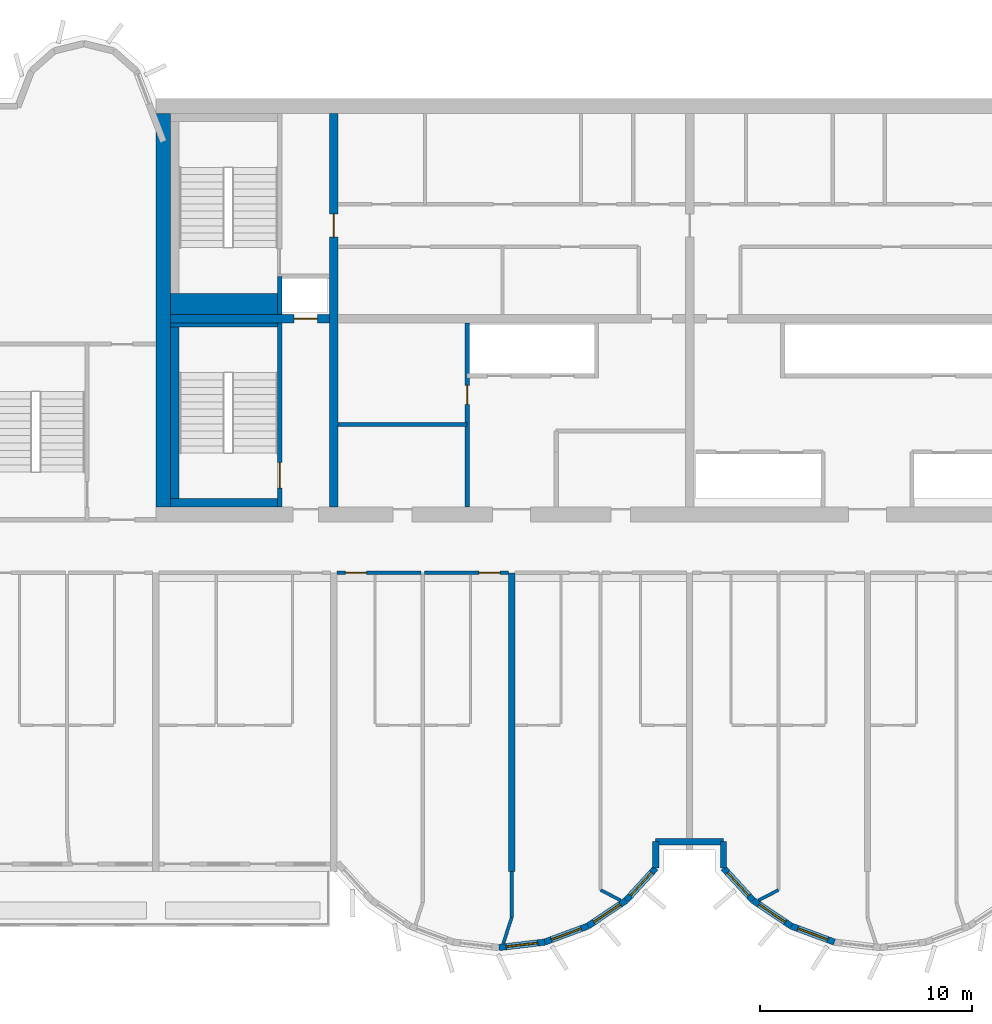
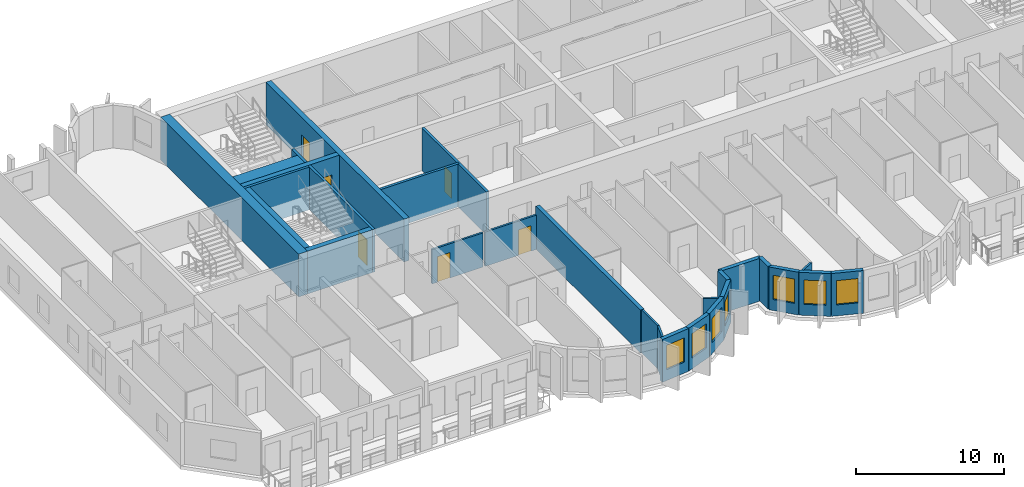
# One storey, part 4 of 13: 28 walls, 7 windows, 6 doors, 13 openings.
"""IFC4 building model written with IfcOpenShell, lengths in metres."""

from ifc_helpers import new_model, si_unit, direction, frame, frame_2d, origin, place, context, subcontext, project, spatial, rectangle, extrude, source, transform, mapped, material, layer, layer_set, type_object, element, fill, save


model = new_model("IFC4")

# Units and contexts
model_context = context("Model", 3, precision=1e-05, world=origin(), true_north=direction((0.0, 1.0)))
body_context = subcontext(model_context, "Body", "Model", "MODEL_VIEW")
ifc_project = project(units=[si_unit("LENGTHUNIT", "METRE"), si_unit("AREAUNIT", "SQUARE_METRE"), si_unit("VOLUMEUNIT", "CUBIC_METRE"), si_unit("PLANEANGLEUNIT", "RADIAN"), si_unit("MASSUNIT", "GRAM", prefix="KILO")], contexts=[model_context])

# Site, building, storey
site_placement = place(None, origin())
site = spatial("IfcSite", under=ifc_project, at=site_placement, CompositionType="ELEMENT")
building_placement = place(site_placement, origin())
building = spatial("IfcBuilding", under=site, at=building_placement, Name="Vanashikhar Sky Hotel", CompositionType="ELEMENT")
storey_placement = place(building_placement, frame((0.0, 0.0, 178.199951171875)))
storey = spatial("IfcBuildingStorey", under=building, at=storey_placement, Name="L43", CompositionType="ELEMENT", Elevation=178.199951171875)

# Wall, opening, door
ifc_material_1 = material(Name="Concrete M60", Category="concrete")
ifc_layer_1 = layer(ifc_material_1, 0.39990234375)
ifc_layer_set_1 = layer_set([ifc_layer_1], Name="RC core inner wall 400 Concrete M60")
wall_type_1 = type_object("IfcWallType", Name="RC core inner wall 400 Concrete M60", PredefinedType="SHEAR", material=ifc_layer_set_1)
shared_shape_1 = source(origin(), body_context, "Body", "SweptSolid", [
    extrude(rectangle(XDim=18.60009765625, YDim=0.39990234375, at=frame_2d((9.300048828125, 0.0))), origin(), (0.0, 0.0, 1.0), 3.52001953125),
])
wall_1_placement = place(storey_placement, frame((33.60009765625, 22.699951171875, 0.0), z_axis=(0.0, 0.0, 1.0), x_axis=(0.0, 1.0, 0.0)))
wall_1 = element("IfcWall", 1, at=wall_1_placement, inside=storey, type_object=wall_type_1, Name="KW-L43-KX1", PredefinedType="SHEAR", context=body_context, shape_type="MappedRepresentation", body=[
    mapped(shared_shape_1, transform((0.0, 0.0, 0.0), scale=1.0)),
])
shared_shape_2 = source(origin(), body_context, "Body", "SweptSolid", [
    extrude(rectangle(XDim=1.10009765625, YDim=2.10009765625, at=frame_2d((0.550048828125, 1.050048828125))), frame((0.0, 0.2099609375, 0.0), z_axis=(0.0, -1.0, 0.0), x_axis=(1.0, 0.0, 0.0)), (0.0, 0.0, 1.0), 0.419921875),
])
opening_1_placement = place(wall_1_placement, frame((12.75, 0.0, 0.0)))
opening_1 = element("IfcOpeningElement", 2, at=opening_1_placement, cuts=wall_1, Name="Opening DC-4-C", PredefinedType="OPENING", context=body_context, shape_type="MappedRepresentation", body=[
    mapped(shared_shape_2, transform((0.0, 0.0, 0.0), scale=1.0)),
])
ifc_material_2 = material(Name="Steel", Category="steel")
door_type_1 = type_object("IfcDoorType", Name="Service door 1100 FD60", OperationType="NOTDEFINED", PredefinedType="DOOR", material=ifc_material_2)
shared_shape_3 = source(origin(), body_context, "Body", "SweptSolid", [
    extrude(rectangle(XDim=1.10009765625, YDim=2.10009765625, at=frame_2d((0.550048828125, 1.050048828125))), frame((0.0, 0.02490234375, 0.0), z_axis=(0.0, -1.0, 0.0), x_axis=(1.0, 0.0, 0.0)), (0.0, 0.0, 1.0), 0.050048828125),
])
door_1_placement = place(opening_1_placement, origin())
door_1 = element("IfcDoor", 3, at=door_1_placement, inside=storey, type_object=door_type_1, Name="Service door 1100 FD60", OperationType="SINGLE_SWING_RIGHT", OverallHeight=2.10009765625, OverallWidth=1.10009765625, PredefinedType="DOOR", context=body_context, shape_type="MappedRepresentation", body=[
    mapped(shared_shape_3, transform((0.0, 0.0, 0.0), scale=1.0)),
])
fill(opening_1, door_1)

# Wall
ifc_layer_2 = layer(ifc_material_1, 0.699951171875)
ifc_layer_set_2 = layer_set([ifc_layer_2], Name="RC core shell wall 700 Concrete M60")
wall_type_2 = type_object("IfcWallType", Name="RC core shell wall 700 Concrete M60", PredefinedType="SHEAR", material=ifc_layer_set_2)
shared_shape_4 = source(origin(), body_context, "Body", "SweptSolid", [
    extrude(rectangle(XDim=18.60009765625, YDim=0.699951171875, at=frame_2d((9.300048828125, 0.0))), origin(), (0.0, 0.0, 1.0), 3.52001953125),
])
wall_2_placement = place(storey_placement, frame((25.550048828125, 22.699951171875, 0.0), z_axis=(0.0, 0.0, 1.0), x_axis=(0.0, 1.0, 0.0)))
element("IfcWall", 4, at=wall_2_placement, inside=storey, type_object=wall_type_2, Name="KW-L43-KW", PredefinedType="SHEAR", context=body_context, shape_type="MappedRepresentation", body=[
    mapped(shared_shape_4, transform((0.0, 0.0, 0.0), scale=1.0)),
])

# Wall, opening, door
shared_shape_5 = source(origin(), body_context, "Body", "SweptSolid", [
    extrude(rectangle(XDim=7.5, YDim=0.39990234375, at=frame_2d((3.75, 0.0))), origin(), (0.0, 0.0, 1.0), 3.52001953125),
])
wall_3_placement = place(storey_placement, frame((25.89990234375, 31.60009765625, 0.0), z_axis=(0.0, 0.0, 1.0), x_axis=(1.0, 0.0, 0.0)))
wall_3 = element("IfcWall", 5, at=wall_3_placement, inside=storey, type_object=wall_type_1, Name="KW-L43-KY1", PredefinedType="SHEAR", context=body_context, shape_type="MappedRepresentation", body=[
    mapped(shared_shape_5, transform((0.0, 0.0, 0.0), scale=1.0)),
])
opening_2_placement = place(wall_3_placement, frame((5.824951171875, 0.0, 0.0)))
opening_2 = element("IfcOpeningElement", 6, at=opening_2_placement, cuts=wall_3, Name="Opening LD", PredefinedType="OPENING", context=body_context, shape_type="MappedRepresentation", body=[
    mapped(shared_shape_2, transform((0.0, 0.0, 0.0), scale=1.0)),
])
ifc_material_3 = material(Name="Stainless steel", Category="steel")
door_type_2 = type_object("IfcDoorType", Name="Lift landing door 1100", OperationType="NOTDEFINED", PredefinedType="DOOR", material=ifc_material_3)
door_2_placement = place(opening_2_placement, origin())
door_2 = element("IfcDoor", 7, at=door_2_placement, inside=storey, type_object=door_type_2, Name="Lift landing door 1100", OperationType="SLIDING_TO_LEFT", OverallHeight=2.10009765625, OverallWidth=1.10009765625, PredefinedType="DOOR", context=body_context, shape_type="MappedRepresentation", body=[
    mapped(shared_shape_3, transform((0.0, 0.0, 0.0), scale=1.0)),
])
fill(opening_2, door_2)

# Wall
ifc_layer_3 = layer(ifc_material_1, 0.300048828125)
ifc_layer_set_3 = layer_set([ifc_layer_3], Name="RC shear wall 300 Concrete M60")
wall_type_3 = type_object("IfcWallType", Name="RC shear wall 300 Concrete M60", PredefinedType="SHEAR", material=ifc_layer_set_3)
shared_shape_6 = source(origin(), body_context, "Body", "SweptSolid", [
    extrude(rectangle(XDim=14.10009765625, YDim=0.300048828125, at=frame_2d((7.050048828125, 0.0))), origin(), (0.0, 0.0, 1.0), 3.52001953125),
])
wall_4_placement = place(storey_placement, frame((42.0, 5.5, 0.0), z_axis=(0.0, 0.0, 1.0), x_axis=(0.0, 1.0, 0.0)))
element("IfcWall", 8, at=wall_4_placement, inside=storey, type_object=wall_type_3, Name="CW-L43-XW06-1", PredefinedType="SHEAR", context=body_context, shape_type="MappedRepresentation", body=[
    mapped(shared_shape_6, transform((0.0, 0.0, 0.0), scale=1.0)),
])

# Wall, opening, window
ifc_material_4 = material(Name="Concrete M50", Category="concrete")
ifc_layer_4 = layer(ifc_material_4, 0.300048828125)
ifc_layer_set_4 = layer_set([ifc_layer_4], Name="Lobe wall 300")
wall_type_4 = type_object("IfcWallType", Name="Lobe wall 300", PredefinedType="SOLIDWALL", material=ifc_layer_set_4)
shared_shape_7 = source(origin(), body_context, "Body", "SweptSolid", [
    extrude(rectangle(XDim=2.17578125, YDim=0.300048828125, at=frame_2d((1.087890625, 0.0))), origin(), (0.0, 0.0, 1.0), 3.52001953125),
])
wall_5_placement = place(storey_placement, frame((45.59912109375, 2.91650390625, 0.0), z_axis=(0.0, 0.0, 1.0), x_axis=(0.829625727223, 0.558319937607, 0.0)))
wall_5 = element("IfcWall", 9, at=wall_5_placement, inside=storey, type_object=wall_type_4, Name="Lobe wall", PredefinedType="SOLIDWALL", context=body_context, shape_type="MappedRepresentation", body=[
    mapped(shared_shape_7, transform((0.0, 0.0, 0.0), scale=1.0)),
])
shared_shape_8 = source(origin(), body_context, "Body", "SweptSolid", [
    extrude(rectangle(XDim=1.5, YDim=2.0, at=frame_2d((0.75, 1.0))), frame((0.0, 0.16015625, 0.0), z_axis=(0.0, -1.0, 0.0), x_axis=(1.0, 0.0, 0.0)), (0.0, 0.0, 1.0), 0.320068359375),
])
opening_3_placement = place(wall_5_placement, frame((0.337890625, 0.0, 0.89990234375)))
opening_3 = element("IfcOpeningElement", 10, at=opening_3_placement, cuts=wall_5, Name="Opening WN-2", PredefinedType="OPENING", context=body_context, shape_type="MappedRepresentation", body=[
    mapped(shared_shape_8, transform((0.0, 0.0, 0.0), scale=1.0)),
])
ifc_material_5 = material(Name="Glass", Category="glass")
window_type = type_object("IfcWindowType", Name="Lobe window 1500 x 2000", PartitioningType="SINGLE_PANEL", PredefinedType="WINDOW", material=ifc_material_5)
shared_shape_9 = source(origin(), body_context, "Body", "SweptSolid", [
    extrude(rectangle(XDim=1.5, YDim=2.0, at=frame_2d((0.75, 1.0))), frame((0.0, 0.030029296875, 0.0), z_axis=(0.0, -1.0, 0.0), x_axis=(1.0, 0.0, 0.0)), (0.0, 0.0, 1.0), 0.06005859375),
])
window_1_placement = place(opening_3_placement, origin())
window_1 = element("IfcWindow", 11, at=window_1_placement, inside=storey, type_object=window_type, Name="Window WN-2", OverallHeight=2.0, OverallWidth=1.5, PartitioningType="SINGLE_PANEL", PredefinedType="WINDOW", context=body_context, shape_type="MappedRepresentation", body=[
    mapped(shared_shape_9, transform((0.0, 0.0, 0.0), scale=1.0)),
])
fill(opening_3, window_1)

wall_6_placement = place(storey_placement, frame((53.395751953125, 4.13134765625, 0.0), z_axis=(0.0, 0.0, 1.0), x_axis=(0.829590746428, -0.558371913192, 0.0)))
wall_6 = element("IfcWall", 12, at=wall_6_placement, inside=storey, type_object=wall_type_4, Name="Lobe wall", PredefinedType="SOLIDWALL", context=body_context, shape_type="MappedRepresentation", body=[
    mapped(shared_shape_7, transform((0.0, 0.0, 0.0), scale=1.0)),
])
opening_4_placement = place(wall_6_placement, frame((0.337890625, 0.0, 0.89990234375)))
opening_4 = element("IfcOpeningElement", 13, at=opening_4_placement, cuts=wall_6, Name="Opening WN-2", PredefinedType="OPENING", context=body_context, shape_type="MappedRepresentation", body=[
    mapped(shared_shape_8, transform((0.0, 0.0, 0.0), scale=1.0)),
])
window_2_placement = place(opening_4_placement, origin())
window_2 = element("IfcWindow", 14, at=window_2_placement, inside=storey, type_object=window_type, Name="Window WN-2", OverallHeight=2.0, OverallWidth=1.5, PartitioningType="SINGLE_PANEL", PredefinedType="WINDOW", context=body_context, shape_type="MappedRepresentation", body=[
    mapped(shared_shape_9, transform((0.0, 0.0, 0.0), scale=1.0)),
])
fill(opening_4, window_2)

wall_7_placement = place(storey_placement, frame((55.20068359375, 2.91650390625, 0.0), z_axis=(0.0, 0.0, 1.0), x_axis=(0.93754555999, -0.347862505801, 0.0)))
wall_7 = element("IfcWall", 15, at=wall_7_placement, inside=storey, type_object=wall_type_4, Name="Lobe wall", PredefinedType="SOLIDWALL", context=body_context, shape_type="MappedRepresentation", body=[
    mapped(shared_shape_7, transform((0.0, 0.0, 0.0), scale=1.0)),
])
opening_5_placement = place(wall_7_placement, frame((0.337890625, 0.0, 0.89990234375)))
opening_5 = element("IfcOpeningElement", 16, at=opening_5_placement, cuts=wall_7, Name="Opening WN-2", PredefinedType="OPENING", context=body_context, shape_type="MappedRepresentation", body=[
    mapped(shared_shape_8, transform((0.0, 0.0, 0.0), scale=1.0)),
])
window_3_placement = place(opening_5_placement, origin())
window_3 = element("IfcWindow", 17, at=window_3_placement, inside=storey, type_object=window_type, Name="Window WN-2", OverallHeight=2.0, OverallWidth=1.5, PartitioningType="SINGLE_PANEL", PredefinedType="WINDOW", context=body_context, shape_type="MappedRepresentation", body=[
    mapped(shared_shape_9, transform((0.0, 0.0, 0.0), scale=1.0)),
])
fill(opening_5, window_3)

shared_shape_10 = source(origin(), body_context, "Body", "SweptSolid", [
    extrude(rectangle(XDim=2.1748046875, YDim=0.300048828125, at=frame_2d((1.08740234375, 0.0))), origin(), (0.0, 0.0, 1.0), 3.52001953125),
])
wall_8_placement = place(storey_placement, frame((41.39990234375, 1.90283203125, 0.0), z_axis=(0.0, 0.0, 1.0), x_axis=(0.993002698611, 0.118091661648, 0.0)))
wall_8 = element("IfcWall", 18, at=wall_8_placement, inside=storey, type_object=wall_type_4, Name="Lobe wall", PredefinedType="SOLIDWALL", context=body_context, shape_type="MappedRepresentation", body=[
    mapped(shared_shape_10, transform((0.0, 0.0, 0.0), scale=1.0)),
])
opening_6_placement = place(wall_8_placement, frame((0.33740234375, 0.0, 0.89990234375)))
opening_6 = element("IfcOpeningElement", 19, at=opening_6_placement, cuts=wall_8, Name="Opening WN-2", PredefinedType="OPENING", context=body_context, shape_type="MappedRepresentation", body=[
    mapped(shared_shape_8, transform((0.0, 0.0, 0.0), scale=1.0)),
])
window_4_placement = place(opening_6_placement, origin())
window_4 = element("IfcWindow", 20, at=window_4_placement, inside=storey, type_object=window_type, Name="Window WN-2", OverallHeight=2.0, OverallWidth=1.5, PartitioningType="SINGLE_PANEL", PredefinedType="WINDOW", context=body_context, shape_type="MappedRepresentation", body=[
    mapped(shared_shape_9, transform((0.0, 0.0, 0.0), scale=1.0)),
])
fill(opening_6, window_4)

shared_shape_11 = source(origin(), body_context, "Body", "SweptSolid", [
    extrude(rectangle(XDim=2.175537109375, YDim=0.300048828125, at=frame_2d((1.087890625, 0.0))), origin(), (0.0, 0.0, 1.0), 3.52001953125),
])
wall_9_placement = place(storey_placement, frame((43.5595703125, 2.15966796875, 0.0), z_axis=(0.0, 0.0, 1.0), x_axis=(0.937531979054, 0.347899106424, 0.0)))
wall_9 = element("IfcWall", 21, at=wall_9_placement, inside=storey, type_object=wall_type_4, Name="Lobe wall", PredefinedType="SOLIDWALL", context=body_context, shape_type="MappedRepresentation", body=[
    mapped(shared_shape_11, transform((0.0, 0.0, 0.0), scale=1.0)),
])
opening_7_placement = place(wall_9_placement, frame((0.337890625, 0.0, 0.89990234375)))
opening_7 = element("IfcOpeningElement", 22, at=opening_7_placement, cuts=wall_9, Name="Opening WN-2", PredefinedType="OPENING", context=body_context, shape_type="MappedRepresentation", body=[
    mapped(shared_shape_8, transform((0.0, 0.0, 0.0), scale=1.0)),
])
window_5_placement = place(opening_7_placement, origin())
window_5 = element("IfcWindow", 23, at=window_5_placement, inside=storey, type_object=window_type, Name="Window WN-2", OverallHeight=2.0, OverallWidth=1.5, PartitioningType="SINGLE_PANEL", PredefinedType="WINDOW", context=body_context, shape_type="MappedRepresentation", body=[
    mapped(shared_shape_9, transform((0.0, 0.0, 0.0), scale=1.0)),
])
fill(opening_7, window_5)

shared_shape_12 = source(origin(), body_context, "Body", "SweptSolid", [
    extrude(rectangle(XDim=2.066650390625, YDim=0.300048828125, at=frame_2d((1.033203125, 0.0))), origin(), (0.0, 0.0, 1.0), 3.52001953125),
])
wall_10_placement = place(storey_placement, frame((47.404296875, 4.13134765625, 0.0), z_axis=(0.0, 0.0, 1.0), x_axis=(0.675355439877, 0.737492393065, 0.0)))
wall_10 = element("IfcWall", 24, at=wall_10_placement, inside=storey, type_object=wall_type_4, Name="Lobe wall", PredefinedType="SOLIDWALL", context=body_context, shape_type="MappedRepresentation", body=[
    mapped(shared_shape_12, transform((0.0, 0.0, 0.0), scale=1.0)),
])
opening_8_placement = place(wall_10_placement, frame((0.283447265625, 0.0, 0.89990234375)))
opening_8 = element("IfcOpeningElement", 25, at=opening_8_placement, cuts=wall_10, Name="Opening WN-2", PredefinedType="OPENING", context=body_context, shape_type="MappedRepresentation", body=[
    mapped(shared_shape_8, transform((0.0, 0.0, 0.0), scale=1.0)),
])
window_6_placement = place(opening_8_placement, origin())
window_6 = element("IfcWindow", 26, at=window_6_placement, inside=storey, type_object=window_type, Name="Window WN-2", OverallHeight=2.0, OverallWidth=1.5, PartitioningType="SINGLE_PANEL", PredefinedType="WINDOW", context=body_context, shape_type="MappedRepresentation", body=[
    mapped(shared_shape_9, transform((0.0, 0.0, 0.0), scale=1.0)),
])
fill(opening_8, window_6)

wall_11_placement = place(storey_placement, frame((52.0, 5.655517578125, 0.0), z_axis=(0.0, 0.0, 1.0), x_axis=(0.675355439877, -0.737492393065, 0.0)))
wall_11 = element("IfcWall", 27, at=wall_11_placement, inside=storey, type_object=wall_type_4, Name="Lobe wall", PredefinedType="SOLIDWALL", context=body_context, shape_type="MappedRepresentation", body=[
    mapped(shared_shape_12, transform((0.0, 0.0, 0.0), scale=1.0)),
])
opening_9_placement = place(wall_11_placement, frame((0.283447265625, 0.0, 0.89990234375)))
opening_9 = element("IfcOpeningElement", 28, at=opening_9_placement, cuts=wall_11, Name="Opening WN-2", PredefinedType="OPENING", context=body_context, shape_type="MappedRepresentation", body=[
    mapped(shared_shape_8, transform((0.0, 0.0, 0.0), scale=1.0)),
])
window_7_placement = place(opening_9_placement, origin())
window_7 = element("IfcWindow", 29, at=window_7_placement, inside=storey, type_object=window_type, Name="Window WN-2", OverallHeight=2.0, OverallWidth=1.5, PartitioningType="SINGLE_PANEL", PredefinedType="WINDOW", context=body_context, shape_type="MappedRepresentation", body=[
    mapped(shared_shape_9, transform((0.0, 0.0, 0.0), scale=1.0)),
])
fill(opening_9, window_7)

# Walls
shared_shape_13 = source(origin(), body_context, "Body", "SweptSolid", [
    extrude(rectangle(XDim=1.244384765625, YDim=0.300048828125, at=frame_2d((0.6220703125, 0.0))), origin(), (0.0, 0.0, 1.0), 3.52001953125),
])
for number, where, z_axis, x_axis, name in (
    (30, (48.800048828125, 5.655517578125, 0.0), (0.0, 0.0, 1.0), (0.0, 1.0, 0.0), "Groove wall"),
    (31, (52.0, 6.89990234375, 0.0), (0.0, 0.0, 1.0), (0.0, -1.0, 0.0), "Groove wall"),
):
    element("IfcWall", number, at=place(storey_placement, frame(where, z_axis=z_axis, x_axis=x_axis)), inside=storey, type_object=wall_type_4, Name=name, PredefinedType="SOLIDWALL", context=body_context, shape_type="MappedRepresentation", body=[
        mapped(shared_shape_13, transform((0.0, 0.0, 0.0), scale=1.0)),
    ])
shared_shape_14 = source(origin(), body_context, "Body", "SweptSolid", [
    extrude(rectangle(XDim=3.199951171875, YDim=0.300048828125, at=frame_2d((1.60009765625, 0.0))), origin(), (0.0, 0.0, 1.0), 3.52001953125),
])
wall_12_placement = place(storey_placement, frame((48.800048828125, 6.89990234375, 0.0), z_axis=(0.0, 0.0, 1.0), x_axis=(1.0, 0.0, 0.0)))
element("IfcWall", 32, at=wall_12_placement, inside=storey, type_object=wall_type_4, Name="Groove wall", PredefinedType="SOLIDWALL", context=body_context, shape_type="MappedRepresentation", body=[
    mapped(shared_shape_14, transform((0.0, 0.0, 0.0), scale=1.0)),
])

# Wall, opening, door
ifc_material_6 = material(Name="Gypsum board partition")
ifc_layer_5 = layer(ifc_material_6, 0.14990234375)
ifc_layer_set_5 = layer_set([ifc_layer_5], Name="Service partition 150")
wall_type_5 = type_object("IfcWallType", Name="Service partition 150", PredefinedType="PARTITIONING", material=ifc_layer_set_5)
shared_shape_15 = source(origin(), body_context, "Body", "SweptSolid", [
    extrude(rectangle(XDim=8.699951171875, YDim=0.199951171875, at=frame_2d((4.35009765625, 0.0))), origin(), (0.0, 0.0, 1.0), 3.52001953125),
])
wall_13_placement = place(storey_placement, frame((39.89990234375, 22.699951171875, 0.0), z_axis=(0.0, 0.0, 1.0), x_axis=(0.0, 1.0, 0.0)))
wall_13 = element("IfcWall", 33, at=wall_13_placement, inside=storey, type_object=wall_type_5, Name="Service partition 150", PredefinedType="PARTITIONING", context=body_context, shape_type="MappedRepresentation", body=[
    mapped(shared_shape_15, transform((0.0, 0.0, 0.0), scale=1.0)),
])
shared_shape_16 = source(origin(), body_context, "Body", "SweptSolid", [
    extrude(rectangle(XDim=0.89990234375, YDim=2.10009765625, at=frame_2d((0.449951171875, 1.050048828125))), frame((0.0, 0.10986328125, 0.0), z_axis=(0.0, -1.0, 0.0), x_axis=(1.0, 0.0, 0.0)), (0.0, 0.0, 1.0), 0.219970703125),
])
opening_10_placement = place(wall_13_placement, frame((4.85009765625, 0.0, 0.0)))
opening_10 = element("IfcOpeningElement", 34, at=opening_10_placement, cuts=wall_13, Name="Opening DC-4-A", PredefinedType="OPENING", context=body_context, shape_type="MappedRepresentation", body=[
    mapped(shared_shape_16, transform((0.0, 0.0, 0.0), scale=1.0)),
])
door_type_3 = type_object("IfcDoorType", Name="Service door 900 FD60", OperationType="NOTDEFINED", PredefinedType="DOOR", material=ifc_material_2)
shared_shape_17 = source(origin(), body_context, "Body", "SweptSolid", [
    extrude(rectangle(XDim=0.89990234375, YDim=2.10009765625, at=frame_2d((0.449951171875, 1.050048828125))), frame((0.0, 0.02490234375, 0.0), z_axis=(0.0, -1.0, 0.0), x_axis=(1.0, 0.0, 0.0)), (0.0, 0.0, 1.0), 0.050048828125),
])
door_3_placement = place(opening_10_placement, origin())
door_3 = element("IfcDoor", 35, at=door_3_placement, inside=storey, type_object=door_type_3, Name="Service door 900 FD60", OperationType="SINGLE_SWING_LEFT", OverallHeight=2.10009765625, OverallWidth=0.89990234375, PredefinedType="DOOR", context=body_context, shape_type="MappedRepresentation", body=[
    mapped(shared_shape_17, transform((0.0, 0.0, 0.0), scale=1.0)),
])
fill(opening_10, door_3)

# Wall
shared_shape_18 = source(origin(), body_context, "Body", "SweptSolid", [
    extrude(rectangle(XDim=6.099853515625, YDim=0.199951171875, at=frame_2d((3.0498046875, 0.0))), origin(), (0.0, 0.0, 1.0), 3.52001953125),
])
wall_14_placement = place(storey_placement, frame((33.800048828125, 26.60009765625, 0.0), z_axis=(0.0, 0.0, 1.0), x_axis=(1.0, 0.0, 0.0)))
element("IfcWall", 36, at=wall_14_placement, inside=storey, type_object=wall_type_5, Name="Service partition 150", PredefinedType="PARTITIONING", context=body_context, shape_type="MappedRepresentation", body=[
    mapped(shared_shape_18, transform((0.0, 0.0, 0.0), scale=1.0)),
])

# Wall, opening, door
ifc_layer_6 = layer(ifc_material_4, 0.199951171875)
ifc_layer_set_6 = layer_set([ifc_layer_6], Name="Stair wall 200")
wall_type_6 = type_object("IfcWallType", Name="Stair wall 200", PredefinedType="SOLIDWALL", material=ifc_layer_set_6)
shared_shape_19 = source(origin(), body_context, "Body", "SweptSolid", [
    extrude(rectangle(XDim=8.699951171875, YDim=0.199951171875, at=frame_2d((4.35009765625, 0.0))), origin(), (0.0, 0.0, 1.0), 3.52001953125),
])
wall_15_placement = place(storey_placement, frame((31.050048828125, 22.699951171875, 0.0), z_axis=(0.0, 0.0, 1.0), x_axis=(0.0, 1.0, 0.0)))
wall_15 = element("IfcWall", 37, at=wall_15_placement, inside=storey, type_object=wall_type_6, Name="Stair wall 200", PredefinedType="SOLIDWALL", context=body_context, shape_type="MappedRepresentation", body=[
    mapped(shared_shape_19, transform((0.0, 0.0, 0.0), scale=1.0)),
])
shared_shape_20 = source(origin(), body_context, "Body", "SweptSolid", [
    extrude(rectangle(XDim=1.199951171875, YDim=2.10009765625, at=frame_2d((0.60009765625, 1.050048828125))), frame((0.0, 0.10986328125, 0.0), z_axis=(0.0, -1.0, 0.0), x_axis=(1.0, 0.0, 0.0)), (0.0, 0.0, 1.0), 0.219970703125),
])
opening_11_placement = place(wall_15_placement, frame((0.89990234375, 0.0, 0.0)))
opening_11 = element("IfcOpeningElement", 38, at=opening_11_placement, cuts=wall_15, Name="Opening DC-1", PredefinedType="OPENING", context=body_context, shape_type="MappedRepresentation", body=[
    mapped(shared_shape_20, transform((0.0, 0.0, 0.0), scale=1.0)),
])
door_type_4 = type_object("IfcDoorType", Name="Stair door 1200 FD120", OperationType="NOTDEFINED", PredefinedType="DOOR", material=ifc_material_2)
shared_shape_21 = source(origin(), body_context, "Body", "SweptSolid", [
    extrude(rectangle(XDim=1.199951171875, YDim=2.10009765625, at=frame_2d((0.60009765625, 1.050048828125))), frame((0.0, 0.02490234375, 0.0), z_axis=(0.0, -1.0, 0.0), x_axis=(1.0, 0.0, 0.0)), (0.0, 0.0, 1.0), 0.050048828125),
])
door_4_placement = place(opening_11_placement, origin())
door_4 = element("IfcDoor", 39, at=door_4_placement, inside=storey, type_object=door_type_4, Name="Stair door 1200 FD120", OperationType="SINGLE_SWING_LEFT", OverallHeight=2.10009765625, OverallWidth=1.199951171875, PredefinedType="DOOR", context=body_context, shape_type="MappedRepresentation", body=[
    mapped(shared_shape_21, transform((0.0, 0.0, 0.0), scale=1.0)),
])
fill(opening_11, door_4)

# Walls
ifc_material_7 = material(Name="Concrete M40", Category="concrete")
ifc_layer_7 = layer(ifc_material_7, 0.199951171875)
ifc_layer_set_7 = layer_set([ifc_layer_7], Name="Shaft wall 200")
wall_type_7 = type_object("IfcWallType", Name="Shaft wall 200", PredefinedType="SOLIDWALL", material=ifc_layer_set_7)
shared_shape_22 = source(origin(), body_context, "Body", "SweptSolid", [
    extrude(rectangle(XDim=1.800048828125, YDim=0.199951171875, at=frame_2d((0.89990234375, 0.0))), origin(), (0.0, 0.0, 1.0), 3.52001953125),
])
wall_16_placement = place(storey_placement, frame((31.050048828125, 31.800048828125, 0.0), z_axis=(0.0, 0.0, 1.0), x_axis=(0.0, 1.0, 0.0)))
element("IfcWall", 40, at=wall_16_placement, inside=storey, type_object=wall_type_7, Name="Shaft wall 200", PredefinedType="SOLIDWALL", context=body_context, shape_type="MappedRepresentation", body=[
    mapped(shared_shape_22, transform((0.0, 0.0, 0.0), scale=1.0)),
])
ifc_layer_8 = layer(ifc_material_4, 0.39990234375)
ifc_layer_set_8 = layer_set([ifc_layer_8], Name="Stair infill wall 400")
wall_type_8 = type_object("IfcWallType", Name="Stair infill wall 400", PredefinedType="SOLIDWALL", material=ifc_layer_set_8)
shared_shape_23 = source(origin(), body_context, "Body", "SweptSolid", [
    extrude(rectangle(XDim=5.050048828125, YDim=0.39990234375, at=frame_2d((2.52490234375, 0.0))), origin(), (0.0, 0.0, 1.0), 3.52001953125),
])
wall_17_placement = place(storey_placement, frame((25.89990234375, 22.89990234375, 0.0), z_axis=(0.0, 0.0, 1.0), x_axis=(1.0, 0.0, 0.0)))
element("IfcWall", 41, at=wall_17_placement, inside=storey, type_object=wall_type_8, Name="Stair infill wall 400", PredefinedType="SOLIDWALL", context=body_context, shape_type="MappedRepresentation", body=[
    mapped(shared_shape_23, transform((0.0, 0.0, 0.0), scale=1.0)),
])
ifc_layer_9 = layer(ifc_material_4, 0.199951171875)
ifc_layer_set_9 = layer_set([ifc_layer_9], Name="Stair infill wall 200")
wall_type_9 = type_object("IfcWallType", Name="Stair infill wall 200", PredefinedType="SOLIDWALL", material=ifc_layer_set_9)
shared_shape_24 = source(origin(), body_context, "Body", "SweptSolid", [
    extrude(rectangle(XDim=5.050048828125, YDim=0.199951171875, at=frame_2d((2.52490234375, 0.0))), origin(), (0.0, 0.0, 1.0), 3.52001953125),
])
wall_18_placement = place(storey_placement, frame((25.89990234375, 31.300048828125, 0.0), z_axis=(0.0, 0.0, 1.0), x_axis=(1.0, 0.0, 0.0)))
element("IfcWall", 42, at=wall_18_placement, inside=storey, type_object=wall_type_9, Name="Stair infill wall 200", PredefinedType="SOLIDWALL", context=body_context, shape_type="MappedRepresentation", body=[
    mapped(shared_shape_24, transform((0.0, 0.0, 0.0), scale=1.0)),
])
shared_shape_25 = source(origin(), body_context, "Body", "SweptSolid", [
    extrude(rectangle(XDim=8.099853515625, YDim=0.39990234375, at=frame_2d((4.0498046875, 0.0))), origin(), (0.0, 0.0, 1.0), 3.52001953125),
])
wall_19_placement = place(storey_placement, frame((26.10009765625, 23.10009765625, 0.0), z_axis=(0.0, 0.0, 1.0), x_axis=(0.0, 1.0, 0.0)))
element("IfcWall", 43, at=wall_19_placement, inside=storey, type_object=wall_type_8, Name="Stair infill wall 400", PredefinedType="SOLIDWALL", context=body_context, shape_type="MappedRepresentation", body=[
    mapped(shared_shape_25, transform((0.0, 0.0, 0.0), scale=1.0)),
])
ifc_layer_10 = layer(ifc_material_4, 1.0)
ifc_layer_set_10 = layer_set([ifc_layer_10], Name="Stair infill wall 1000")
wall_type_10 = type_object("IfcWallType", Name="Stair infill wall 1000", PredefinedType="SOLIDWALL", material=ifc_layer_set_10)
shared_shape_26 = source(origin(), body_context, "Body", "SweptSolid", [
    extrude(rectangle(XDim=5.050048828125, YDim=1.0, at=frame_2d((2.52490234375, 0.0))), origin(), (0.0, 0.0, 1.0), 3.52001953125),
])
wall_20_placement = place(storey_placement, frame((25.89990234375, 32.300048828125, 0.0), z_axis=(0.0, 0.0, 1.0), x_axis=(1.0, 0.0, 0.0)))
element("IfcWall", 44, at=wall_20_placement, inside=storey, type_object=wall_type_10, Name="Stair infill wall 1000", PredefinedType="SOLIDWALL", context=body_context, shape_type="MappedRepresentation", body=[
    mapped(shared_shape_26, transform((0.0, 0.0, 0.0), scale=1.0)),
])
ifc_material_8 = material(Name="Gypsum plasterboard partition")
ifc_layer_11 = layer(ifc_material_8, 0.14990234375)
ifc_layer_set_11 = layer_set([ifc_layer_11], Name="Corridor and demising partition 150")
wall_type_11 = type_object("IfcWallType", Name="Corridor and demising partition 150", PredefinedType="PARTITIONING", material=ifc_layer_set_11)
shared_shape_27 = source(origin(), body_context, "Body", "SweptSolid", [
    extrude(rectangle(XDim=2.177978515625, YDim=0.14990234375, at=frame_2d((1.0888671875, 0.0))), origin(), (0.0, 0.0, 1.0), 3.52001953125),
])
wall_21_placement = place(storey_placement, frame((42.0, 3.322021484375, 0.0), z_axis=(0.0, 0.0, 1.0), x_axis=(0.0, 1.0, 0.0)))
element("IfcWall", 45, at=wall_21_placement, inside=storey, type_object=wall_type_11, Name="W-L43-PW069", PredefinedType="PARTITIONING", context=body_context, shape_type="MappedRepresentation", body=[
    mapped(shared_shape_27, transform((0.0, 0.0, 0.0), scale=1.0)),
])
shared_shape_28 = source(origin(), body_context, "Body", "SweptSolid", [
    extrude(rectangle(XDim=1.0576171875, YDim=0.14990234375, at=frame_2d((0.52880859375, 0.0))), origin(), (0.0, 0.0, 1.0), 3.52001953125),
])
wall_22_placement = place(storey_placement, frame((47.139892578125, 4.134033203125, 0.0), z_axis=(0.0, 0.0, 1.0), x_axis=(-0.888723819054, 0.458442988218, 0.0)))
element("IfcWall", 46, at=wall_22_placement, inside=storey, type_object=wall_type_11, Name="W-L43-PW033B0", PredefinedType="PARTITIONING", context=body_context, shape_type="MappedRepresentation", body=[
    mapped(shared_shape_28, transform((0.0, 0.0, 0.0), scale=1.0)),
])
shared_shape_29 = source(origin(), body_context, "Body", "SweptSolid", [
    extrude(rectangle(XDim=1.057861328125, YDim=0.14990234375, at=frame_2d((0.52880859375, 0.0))), origin(), (0.0, 0.0, 1.0), 3.52001953125),
])
wall_23_placement = place(storey_placement, frame((53.659912109375, 4.134033203125, 0.0), z_axis=(0.0, 0.0, 1.0), x_axis=(0.888772319209, 0.458348955063, 0.0)))
element("IfcWall", 47, at=wall_23_placement, inside=storey, type_object=wall_type_11, Name="W-L43-PW040B0", PredefinedType="PARTITIONING", context=body_context, shape_type="MappedRepresentation", body=[
    mapped(shared_shape_29, transform((0.0, 0.0, 0.0), scale=1.0)),
])
shared_shape_30 = source(origin(), body_context, "Body", "SweptSolid", [
    extrude(rectangle(XDim=1.308349609375, YDim=0.14990234375, at=frame_2d((0.654296875, 0.0))), origin(), (0.0, 0.0, 1.0), 3.52001953125),
])
wall_24_placement = place(storey_placement, frame((41.597900390625, 2.076904296875, 0.0), z_axis=(0.0, 0.0, 1.0), x_axis=(0.307313512187, 0.951608325535, 0.0)))
element("IfcWall", 48, at=wall_24_placement, inside=storey, type_object=wall_type_11, Name="W-L43-PW069B0", PredefinedType="PARTITIONING", context=body_context, shape_type="MappedRepresentation", body=[
    mapped(shared_shape_30, transform((0.0, 0.0, 0.0), scale=1.0)),
])

# Wall, opening, door
shared_shape_31 = source(origin(), body_context, "Body", "SweptSolid", [
    extrude(rectangle(XDim=3.97509765625, YDim=0.14990234375, at=frame_2d((1.987548828125, 0.0))), origin(), (0.0, 0.0, 1.0), 2.820068359375),
])
wall_25_placement = place(storey_placement, frame((33.75, 19.60009765625, 0.0), z_axis=(0.0, 0.0, 1.0), x_axis=(1.0, 0.0, 0.0)))
wall_25 = element("IfcWall", 49, at=wall_25_placement, inside=storey, type_object=wall_type_11, Name="W-L43-PW022", PredefinedType="PARTITIONING", context=body_context, shape_type="MappedRepresentation", body=[
    mapped(shared_shape_31, transform((0.0, 0.0, 0.0), scale=1.0)),
])
shared_shape_32 = source(origin(), body_context, "Body", "SweptSolid", [
    extrude(rectangle(XDim=1.0, YDim=2.10009765625, at=frame_2d((0.5, 1.050048828125))), frame((0.0, 0.0849609375, 0.0), z_axis=(0.0, -1.0, 0.0), x_axis=(1.0, 0.0, 0.0)), (0.0, 0.0, 1.0), 0.169921875),
])
opening_12_placement = place(wall_25_placement, frame((0.39990234375, 0.0, 0.0)))
opening_12 = element("IfcOpeningElement", 50, at=opening_12_placement, cuts=wall_25, Name="Opening D-01", PredefinedType="OPENING", context=body_context, shape_type="MappedRepresentation", body=[
    mapped(shared_shape_32, transform((0.0, 0.0, 0.0), scale=1.0)),
])
ifc_material_9 = material(Name="Timber fire door", Category="wood")
door_type_5 = type_object("IfcDoorType", Name="Guest entry door 1000 FD30S", OperationType="NOTDEFINED", PredefinedType="DOOR", material=ifc_material_9)
shared_shape_33 = source(origin(), body_context, "Body", "SweptSolid", [
    extrude(rectangle(XDim=1.0, YDim=2.10009765625, at=frame_2d((0.5, 1.050048828125))), frame((0.0, 0.02490234375, 0.0), z_axis=(0.0, -1.0, 0.0), x_axis=(1.0, 0.0, 0.0)), (0.0, 0.0, 1.0), 0.050048828125),
])
door_5_placement = place(opening_12_placement, origin())
door_5 = element("IfcDoor", 51, at=door_5_placement, inside=storey, type_object=door_type_5, Name="D-L43-013", OperationType="SINGLE_SWING_LEFT", OverallHeight=2.10009765625, OverallWidth=1.0, PredefinedType="DOOR", context=body_context, shape_type="MappedRepresentation", body=[
    mapped(shared_shape_33, transform((0.0, 0.0, 0.0), scale=1.0)),
])
fill(opening_12, door_5)

wall_26_placement = place(storey_placement, frame((37.875, 19.60009765625, 0.0), z_axis=(0.0, 0.0, 1.0), x_axis=(1.0, 0.0, 0.0)))
wall_26 = element("IfcWall", 52, at=wall_26_placement, inside=storey, type_object=wall_type_11, Name="W-L43-PW025", PredefinedType="PARTITIONING", context=body_context, shape_type="MappedRepresentation", body=[
    mapped(shared_shape_31, transform((0.0, 0.0, 0.0), scale=1.0)),
])
opening_13_placement = place(wall_26_placement, frame((2.574951171875, 0.0, 0.0)))
opening_13 = element("IfcOpeningElement", 53, at=opening_13_placement, cuts=wall_26, Name="Opening D-01", PredefinedType="OPENING", context=body_context, shape_type="MappedRepresentation", body=[
    mapped(shared_shape_32, transform((0.0, 0.0, 0.0), scale=1.0)),
])
door_6_placement = place(opening_13_placement, origin())
door_6 = element("IfcDoor", 54, at=door_6_placement, inside=storey, type_object=door_type_5, Name="D-L43-015", OperationType="SINGLE_SWING_RIGHT", OverallHeight=2.10009765625, OverallWidth=1.0, PredefinedType="DOOR", context=body_context, shape_type="MappedRepresentation", body=[
    mapped(shared_shape_33, transform((0.0, 0.0, 0.0), scale=1.0)),
])
fill(opening_13, door_6)

save(model, "model.ifc")
